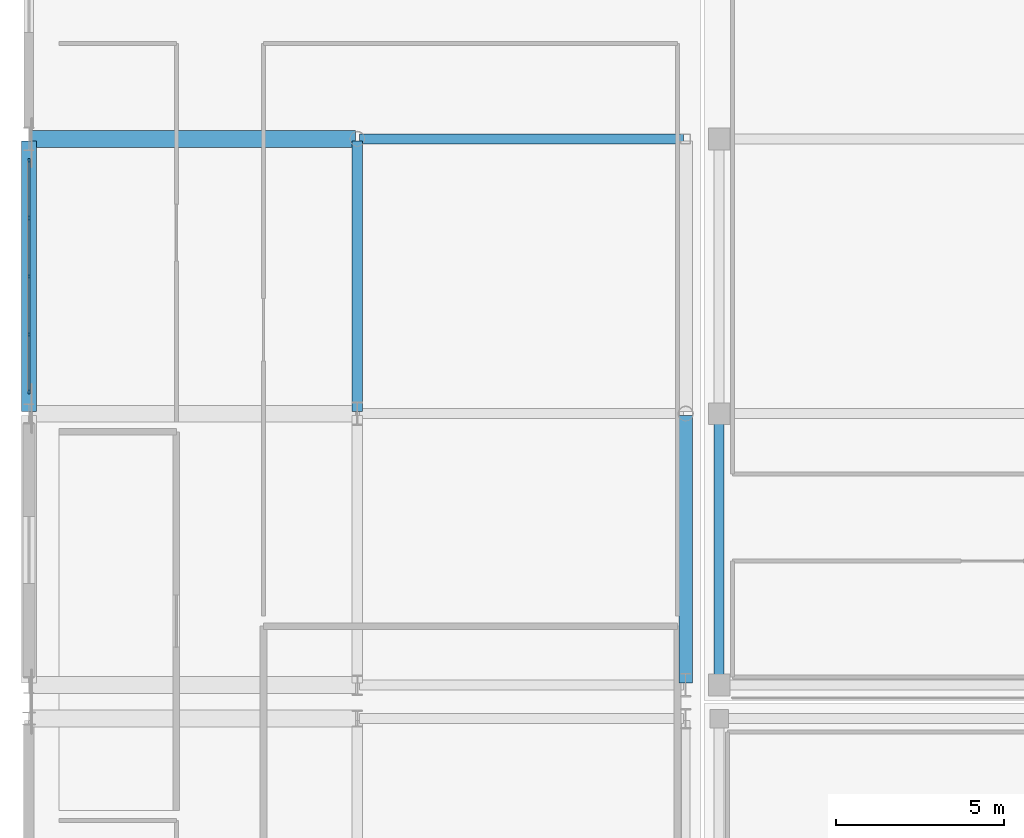
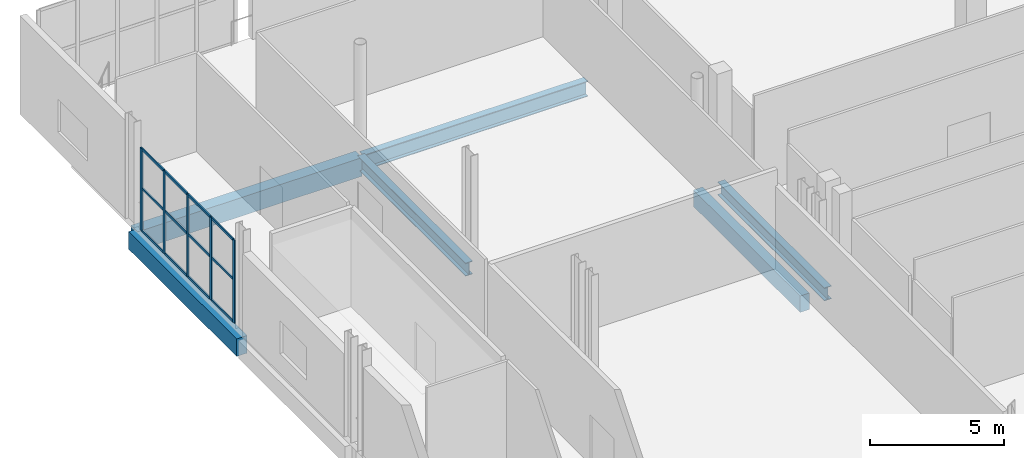
# One storey, part 46 of 129: 17 members, 6 beams, 1 element without a shape of its own.
"""IFC4 building model written with IfcOpenShell, lengths in metres."""

from ifc_helpers import new_model, si_unit, direction, frame, origin, origin_2d, place, context, subcontext, project, spatial, rectangle, i_section, extrude, material, material_profile, profile_set, type_object, element, aggregate, save


model = new_model("IFC4")

# Units and contexts
model_context = context("Model", 3, precision=1e-05, world=origin(), true_north=direction((0.0, 1.0)))
body_context = subcontext(model_context, "Body", "Model", "MODEL_VIEW")
ifc_project = project(units=[si_unit("LENGTHUNIT", "METRE"), si_unit("AREAUNIT", "SQUARE_METRE"), si_unit("VOLUMEUNIT", "CUBIC_METRE"), si_unit("PLANEANGLEUNIT", "RADIAN"), si_unit("MASSUNIT", "GRAM", prefix="KILO")], contexts=[model_context])

# Site, building, storey
site_placement = place(None, origin())
site = spatial("IfcSite", under=ifc_project, at=site_placement, CompositionType="ELEMENT")
building_placement = place(site_placement, origin())
building = spatial("IfcBuilding", under=site, at=building_placement, Name="Koshinbarg Plaza Stadium", CompositionType="ELEMENT")
storey_placement = place(building_placement, frame((0.0, 0.0, 5.39990234375)))
storey = spatial("IfcBuildingStorey", under=building, at=storey_placement, Name="L01", CompositionType="ELEMENT", Elevation=5.39990234375)

# Beams
ifc_material_1 = material(Name="Concrete C40/50", Category="concrete")
ifc_material_profile_1 = material_profile(ifc_material_1, rectangle(XDim=0.39990234375, YDim=0.75, at=origin_2d()), Name="RC 400x750")
ifc_profile_set_1 = profile_set([ifc_material_profile_1], Name="Concrete C40/50")
beam_type_1 = type_object("IfcBeamType", Name="BM-RCG-03", PredefinedType="USERDEFINED", material=ifc_profile_set_1)
beam_1_placement = place(storey_placement, frame((23.60009765625, 127.56005859375, -0.69482421875), z_axis=(0.0, 1.0, 0.0), x_axis=(-1.0, 0.0, 0.0)))
element("IfcBeam", 1, at=beam_1_placement, inside=storey, type_object=beam_type_1, Name="L01 Y girder 4/S-T", ObjectType="GIRDER", PredefinedType="USERDEFINED", context=body_context, shape_type="SweptSolid", body=[
    extrude(rectangle(XDim=0.39990234375, YDim=0.75, at=origin_2d()), origin(), (0.0, 0.0, 1.0), 7.97998046875),
])
ifc_material_profile_2 = material_profile(ifc_material_1, rectangle(XDim=0.449951171875, YDim=0.800048828125, at=origin_2d()), Name="RC 450x800")
ifc_profile_set_2 = profile_set([ifc_material_profile_2], Name="Concrete C40/50")
beam_type_2 = type_object("IfcBeamType", Name="BM-RCG-04", PredefinedType="USERDEFINED", material=ifc_profile_set_2)
beam_2_placement = place(storey_placement, frame((4.0, 135.659912109375, -0.719970703125), z_axis=(0.0, 1.0, 0.0), x_axis=(-1.0, 0.0, 0.0)))
element("IfcBeam", 2, at=beam_2_placement, inside=storey, type_object=beam_type_2, Name="L01 Y girder 2/T-U", ObjectType="GIRDER", PredefinedType="USERDEFINED", context=body_context, shape_type="SweptSolid", body=[
    extrude(rectangle(XDim=0.449951171875, YDim=0.800048828125, at=origin_2d()), origin(), (0.0, 0.0, 1.0), 8.080078125),
])
ifc_material_profile_3 = material_profile(ifc_material_1, rectangle(XDim=0.5, YDim=0.85009765625, at=origin_2d()), Name="RC 500x850")
ifc_profile_set_3 = profile_set([ifc_material_profile_3], Name="Concrete C40/50")
beam_type_3 = type_object("IfcBeamType", Name="BM-RCG-05", PredefinedType="USERDEFINED", material=ifc_profile_set_3)
beam_3_placement = place(storey_placement, frame((4.06005859375, 143.800048828125, -0.744873046875), z_axis=(1.0, 0.0, 0.0), x_axis=(0.0, 1.0, 0.0)))
element("IfcBeam", 3, at=beam_3_placement, inside=storey, type_object=beam_type_3, Name="L01 X girder U/2-3", ObjectType="GIRDER", PredefinedType="USERDEFINED", context=body_context, shape_type="SweptSolid", body=[
    extrude(rectangle(XDim=0.5, YDim=0.85009765625, at=origin_2d()), origin(), (0.0, 0.0, 1.0), 9.679931640625),
])
ifc_material_2 = material(Name="Steel S355", Category="steel")
ifc_material_profile_4 = material_profile(ifc_material_2, i_section(OverallWidth=0.300048828125, OverallDepth=0.60009765625, WebThickness=0.015380859375, FlangeThickness=0.030029296875, at=origin_2d()), Name="HEB 600")
ifc_profile_set_4 = profile_set([ifc_material_profile_4], Name="Steel S355")
beam_type_4 = type_object("IfcBeamType", Name="BM-SGIR-02", PredefinedType="USERDEFINED", material=ifc_profile_set_4)
beam_4_placement = place(storey_placement, frame((13.800048828125, 135.659912109375, -0.619873046875), z_axis=(0.0, 1.0, 0.0), x_axis=(-1.0, 0.0, 0.0)))
element("IfcBeam", 4, at=beam_4_placement, inside=storey, type_object=beam_type_4, Name="L01 Y girder 3/T-U", ObjectType="GIRDER", PredefinedType="USERDEFINED", context=body_context, shape_type="SweptSolid", body=[
    extrude(i_section(OverallWidth=0.300048828125, OverallDepth=0.60009765625, WebThickness=0.015380859375, FlangeThickness=0.030029296875, at=origin_2d()), origin(), (0.0, 0.0, 1.0), 8.080078125),
])
beam_5_placement = place(storey_placement, frame((24.60009765625, 127.56005859375, -0.619873046875), z_axis=(0.0, 1.0, 0.0), x_axis=(-1.0, 0.0, 0.0)))
element("IfcBeam", 5, at=beam_5_placement, inside=storey, type_object=beam_type_4, Name="L01 Y girder 5/S-T", ObjectType="GIRDER", PredefinedType="USERDEFINED", context=body_context, shape_type="SweptSolid", body=[
    extrude(i_section(OverallWidth=0.300048828125, OverallDepth=0.60009765625, WebThickness=0.015380859375, FlangeThickness=0.030029296875, at=origin_2d()), origin(), (0.0, 0.0, 1.0), 7.97998046875),
])
ifc_material_profile_5 = material_profile(ifc_material_2, i_section(OverallWidth=0.300048828125, OverallDepth=0.699951171875, WebThickness=0.01708984375, FlangeThickness=0.031982421875, at=origin_2d()), Name="HEB 700")
ifc_profile_set_5 = profile_set([ifc_material_profile_5], Name="Steel S355")
beam_type_5 = type_object("IfcBeamType", Name="BM-SGIR-03", PredefinedType="USERDEFINED", material=ifc_profile_set_5)
beam_6_placement = place(storey_placement, frame((13.860107421875, 143.800048828125, -0.669921875), z_axis=(1.0, 0.0, 0.0), x_axis=(0.0, 1.0, 0.0)))
element("IfcBeam", 6, at=beam_6_placement, inside=storey, type_object=beam_type_5, Name="L01 X girder U/3-4", ObjectType="GIRDER", PredefinedType="USERDEFINED", context=body_context, shape_type="SweptSolid", body=[
    extrude(i_section(OverallWidth=0.300048828125, OverallDepth=0.699951171875, WebThickness=0.01708984375, FlangeThickness=0.031982421875, at=origin_2d()), origin(), (0.0, 0.0, 1.0), 9.679931640625),
])

# Curtain wall, members
ifc_material_3 = material(Name="Thermally broken anodised aluminium and low-E double glazing", Category="aluminium")
curtain_wall_type = type_object("IfcCurtainWallType", Name="CW-SYS-09", PredefinedType="NOTDEFINED", material=ifc_material_3)
curtain_wall_placement = place(storey_placement, origin())
curtain_wall = element("IfcCurtainWall", 7, at=curtain_wall_placement, inside=storey, type_object=curtain_wall_type, Name="L01 unitised curtain wall CW-L01-008", PredefinedType="NOTDEFINED")
ifc_material_4 = material(Name="Anodised aluminium mullion", Category="aluminium")
ifc_material_profile_6 = material_profile(ifc_material_4, rectangle(XDim=0.06005859375, YDim=0.139892578125, at=origin_2d()), Name="ALU 60x140")
ifc_profile_set_6 = profile_set([ifc_material_profile_6], Name="Anodised aluminium mullion")
member_type_1 = type_object("IfcMemberType", Name="CW-MUL-01", PredefinedType="MULLION", material=ifc_profile_set_6)
member_1_placement = place(storey_placement, frame((4.0, 136.25, 0.0), z_axis=(0.0, 0.0, 1.0), x_axis=(-1.0, 0.0, 0.0)))
member_1 = element("IfcMember", 8, at=member_1_placement, type_object=member_type_1, Name="CW09 mullion 1", PredefinedType="MULLION", context=body_context, shape_type="SweptSolid", body=[
    extrude(rectangle(XDim=0.06005859375, YDim=0.139892578125, at=origin_2d()), origin(), (0.0, 0.0, 1.0), 3.780029296875),
])
member_2_placement = place(storey_placement, frame((4.0, 137.9599609375, 0.0), z_axis=(0.0, 0.0, 1.0), x_axis=(-1.0, 0.0, 0.0)))
member_2 = element("IfcMember", 9, at=member_2_placement, type_object=member_type_1, Name="CW09 mullion 2", PredefinedType="MULLION", context=body_context, shape_type="SweptSolid", body=[
    extrude(rectangle(XDim=0.06005859375, YDim=0.139892578125, at=origin_2d()), origin(), (0.0, 0.0, 1.0), 3.780029296875),
])
member_3_placement = place(storey_placement, frame((4.0, 139.699951171875, 0.0), z_axis=(0.0, 0.0, 1.0), x_axis=(-1.0, 0.0, 0.0)))
member_3 = element("IfcMember", 10, at=member_3_placement, type_object=member_type_1, Name="CW09 mullion 3", PredefinedType="MULLION", context=body_context, shape_type="SweptSolid", body=[
    extrude(rectangle(XDim=0.06005859375, YDim=0.139892578125, at=origin_2d()), origin(), (0.0, 0.0, 1.0), 3.780029296875),
])
member_4_placement = place(storey_placement, frame((4.0, 141.43994140625, 0.0), z_axis=(0.0, 0.0, 1.0), x_axis=(-1.0, 0.0, 0.0)))
member_4 = element("IfcMember", 11, at=member_4_placement, type_object=member_type_1, Name="CW09 mullion 4", PredefinedType="MULLION", context=body_context, shape_type="SweptSolid", body=[
    extrude(rectangle(XDim=0.06005859375, YDim=0.139892578125, at=origin_2d()), origin(), (0.0, 0.0, 1.0), 3.780029296875),
])
member_5_placement = place(storey_placement, frame((4.0, 143.14990234375, 0.0), z_axis=(0.0, 0.0, 1.0), x_axis=(-1.0, 0.0, 0.0)))
member_5 = element("IfcMember", 12, at=member_5_placement, type_object=member_type_1, Name="CW09 mullion 5", PredefinedType="MULLION", context=body_context, shape_type="SweptSolid", body=[
    extrude(rectangle(XDim=0.06005859375, YDim=0.139892578125, at=origin_2d()), origin(), (0.0, 0.0, 1.0), 3.780029296875),
])
ifc_material_5 = material(Name="Anodised aluminium transom", Category="aluminium")
ifc_material_profile_7 = material_profile(ifc_material_5, rectangle(XDim=0.06005859375, YDim=0.110107421875, at=origin_2d()), Name="ALU 60x110")
ifc_profile_set_7 = profile_set([ifc_material_profile_7], Name="Anodised aluminium transom")
member_type_2 = type_object("IfcMemberType", Name="CW-TRN-01", PredefinedType="USERDEFINED", material=ifc_profile_set_7)
member_6_placement = place(storey_placement, frame((4.0, 136.280029296875, 0.030029296875), z_axis=(0.0, 1.0, 0.0), x_axis=(-1.0, 0.0, 0.0)))
member_6 = element("IfcMember", 13, at=member_6_placement, type_object=member_type_2, Name="CW09 transom 1.1", ObjectType="TRANSOM", PredefinedType="USERDEFINED", context=body_context, shape_type="SweptSolid", body=[
    extrude(rectangle(XDim=0.06005859375, YDim=0.110107421875, at=origin_2d()), origin(), (0.0, 0.0, 1.0), 1.64990234375),
])
member_7_placement = place(storey_placement, frame((4.0, 136.280029296875, 1.965576171875), z_axis=(0.0, 1.0, 0.0), x_axis=(-1.0, 0.0, 0.0)))
member_7 = element("IfcMember", 14, at=member_7_placement, type_object=member_type_2, Name="CW09 transom 1.2", ObjectType="TRANSOM", PredefinedType="USERDEFINED", context=body_context, shape_type="SweptSolid", body=[
    extrude(rectangle(XDim=0.06005859375, YDim=0.110107421875, at=origin_2d()), origin(), (0.0, 0.0, 1.0), 1.64990234375),
])
member_8_placement = place(storey_placement, frame((4.0, 136.280029296875, 3.75), z_axis=(0.0, 1.0, 0.0), x_axis=(-1.0, 0.0, 0.0)))
member_8 = element("IfcMember", 15, at=member_8_placement, type_object=member_type_2, Name="CW09 transom 1.3", ObjectType="TRANSOM", PredefinedType="USERDEFINED", context=body_context, shape_type="SweptSolid", body=[
    extrude(rectangle(XDim=0.06005859375, YDim=0.110107421875, at=origin_2d()), origin(), (0.0, 0.0, 1.0), 1.64990234375),
])
member_9_placement = place(storey_placement, frame((4.0, 137.989990234375, 0.030029296875), z_axis=(0.0, 1.0, 0.0), x_axis=(-1.0, 0.0, 0.0)))
member_9 = element("IfcMember", 16, at=member_9_placement, type_object=member_type_2, Name="CW09 transom 2.1", ObjectType="TRANSOM", PredefinedType="USERDEFINED", context=body_context, shape_type="SweptSolid", body=[
    extrude(rectangle(XDim=0.06005859375, YDim=0.110107421875, at=origin_2d()), origin(), (0.0, 0.0, 1.0), 1.679931640625),
])
member_10_placement = place(storey_placement, frame((4.0, 137.989990234375, 1.965576171875), z_axis=(0.0, 1.0, 0.0), x_axis=(-1.0, 0.0, 0.0)))
member_10 = element("IfcMember", 17, at=member_10_placement, type_object=member_type_2, Name="CW09 transom 2.2", ObjectType="TRANSOM", PredefinedType="USERDEFINED", context=body_context, shape_type="SweptSolid", body=[
    extrude(rectangle(XDim=0.06005859375, YDim=0.110107421875, at=origin_2d()), origin(), (0.0, 0.0, 1.0), 1.679931640625),
])
member_11_placement = place(storey_placement, frame((4.0, 137.989990234375, 3.75), z_axis=(0.0, 1.0, 0.0), x_axis=(-1.0, 0.0, 0.0)))
member_11 = element("IfcMember", 18, at=member_11_placement, type_object=member_type_2, Name="CW09 transom 2.3", ObjectType="TRANSOM", PredefinedType="USERDEFINED", context=body_context, shape_type="SweptSolid", body=[
    extrude(rectangle(XDim=0.06005859375, YDim=0.110107421875, at=origin_2d()), origin(), (0.0, 0.0, 1.0), 1.679931640625),
])
member_12_placement = place(storey_placement, frame((4.0, 139.72998046875, 0.030029296875), z_axis=(0.0, 1.0, 0.0), x_axis=(-1.0, 0.0, 0.0)))
member_12 = element("IfcMember", 19, at=member_12_placement, type_object=member_type_2, Name="CW09 transom 3.1", ObjectType="TRANSOM", PredefinedType="USERDEFINED", context=body_context, shape_type="SweptSolid", body=[
    extrude(rectangle(XDim=0.06005859375, YDim=0.110107421875, at=origin_2d()), origin(), (0.0, 0.0, 1.0), 1.679931640625),
])
member_13_placement = place(storey_placement, frame((4.0, 139.72998046875, 1.965576171875), z_axis=(0.0, 1.0, 0.0), x_axis=(-1.0, 0.0, 0.0)))
member_13 = element("IfcMember", 20, at=member_13_placement, type_object=member_type_2, Name="CW09 transom 3.2", ObjectType="TRANSOM", PredefinedType="USERDEFINED", context=body_context, shape_type="SweptSolid", body=[
    extrude(rectangle(XDim=0.06005859375, YDim=0.110107421875, at=origin_2d()), origin(), (0.0, 0.0, 1.0), 1.679931640625),
])
member_14_placement = place(storey_placement, frame((4.0, 139.72998046875, 3.75), z_axis=(0.0, 1.0, 0.0), x_axis=(-1.0, 0.0, 0.0)))
member_14 = element("IfcMember", 21, at=member_14_placement, type_object=member_type_2, Name="CW09 transom 3.3", ObjectType="TRANSOM", PredefinedType="USERDEFINED", context=body_context, shape_type="SweptSolid", body=[
    extrude(rectangle(XDim=0.06005859375, YDim=0.110107421875, at=origin_2d()), origin(), (0.0, 0.0, 1.0), 1.679931640625),
])
member_15_placement = place(storey_placement, frame((4.0, 141.469970703125, 0.030029296875), z_axis=(0.0, 1.0, 0.0), x_axis=(-1.0, 0.0, 0.0)))
member_15 = element("IfcMember", 22, at=member_15_placement, type_object=member_type_2, Name="CW09 transom 4.1", ObjectType="TRANSOM", PredefinedType="USERDEFINED", context=body_context, shape_type="SweptSolid", body=[
    extrude(rectangle(XDim=0.06005859375, YDim=0.110107421875, at=origin_2d()), origin(), (0.0, 0.0, 1.0), 1.650146484375),
])
member_16_placement = place(storey_placement, frame((4.0, 141.469970703125, 1.965576171875), z_axis=(0.0, 1.0, 0.0), x_axis=(-1.0, 0.0, 0.0)))
member_16 = element("IfcMember", 23, at=member_16_placement, type_object=member_type_2, Name="CW09 transom 4.2", ObjectType="TRANSOM", PredefinedType="USERDEFINED", context=body_context, shape_type="SweptSolid", body=[
    extrude(rectangle(XDim=0.06005859375, YDim=0.110107421875, at=origin_2d()), origin(), (0.0, 0.0, 1.0), 1.650146484375),
])
member_17_placement = place(storey_placement, frame((4.0, 141.469970703125, 3.75), z_axis=(0.0, 1.0, 0.0), x_axis=(-1.0, 0.0, 0.0)))
member_17 = element("IfcMember", 24, at=member_17_placement, type_object=member_type_2, Name="CW09 transom 4.3", ObjectType="TRANSOM", PredefinedType="USERDEFINED", context=body_context, shape_type="SweptSolid", body=[
    extrude(rectangle(XDim=0.06005859375, YDim=0.110107421875, at=origin_2d()), origin(), (0.0, 0.0, 1.0), 1.650146484375),
])
aggregate(curtain_wall, [member_1, member_2, member_3, member_4, member_5, member_6, member_7, member_8, member_9, member_10, member_11, member_12, member_13, member_14, member_15, member_16, member_17])

save(model, "model.ifc")
